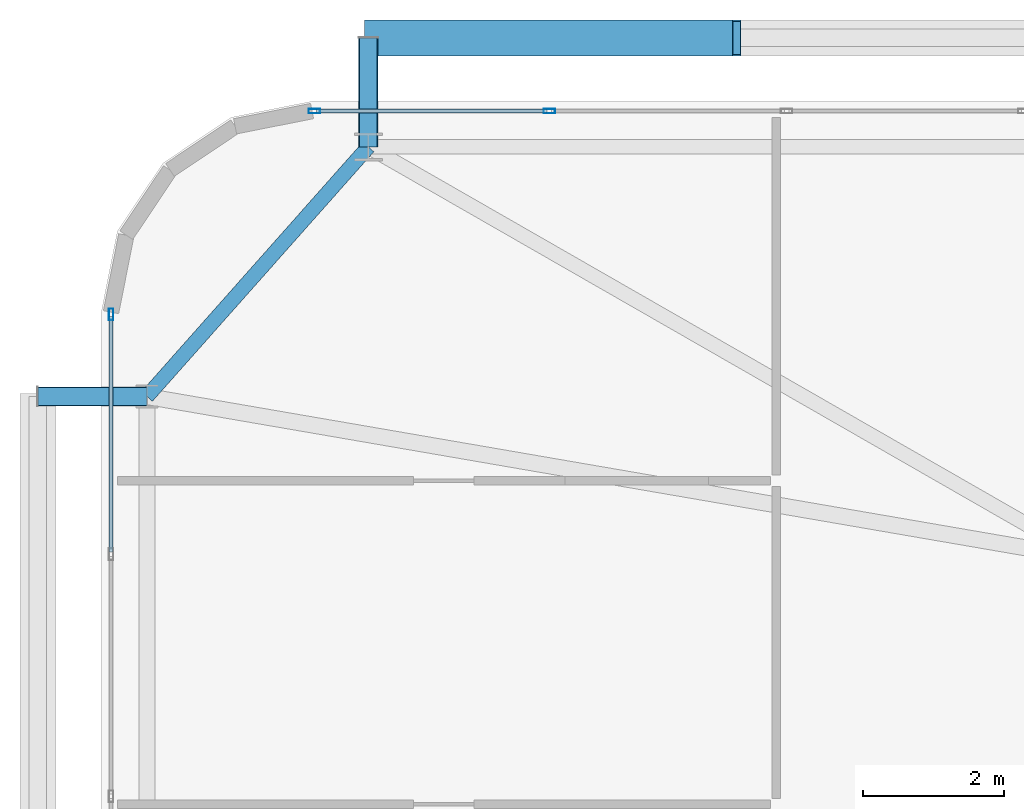
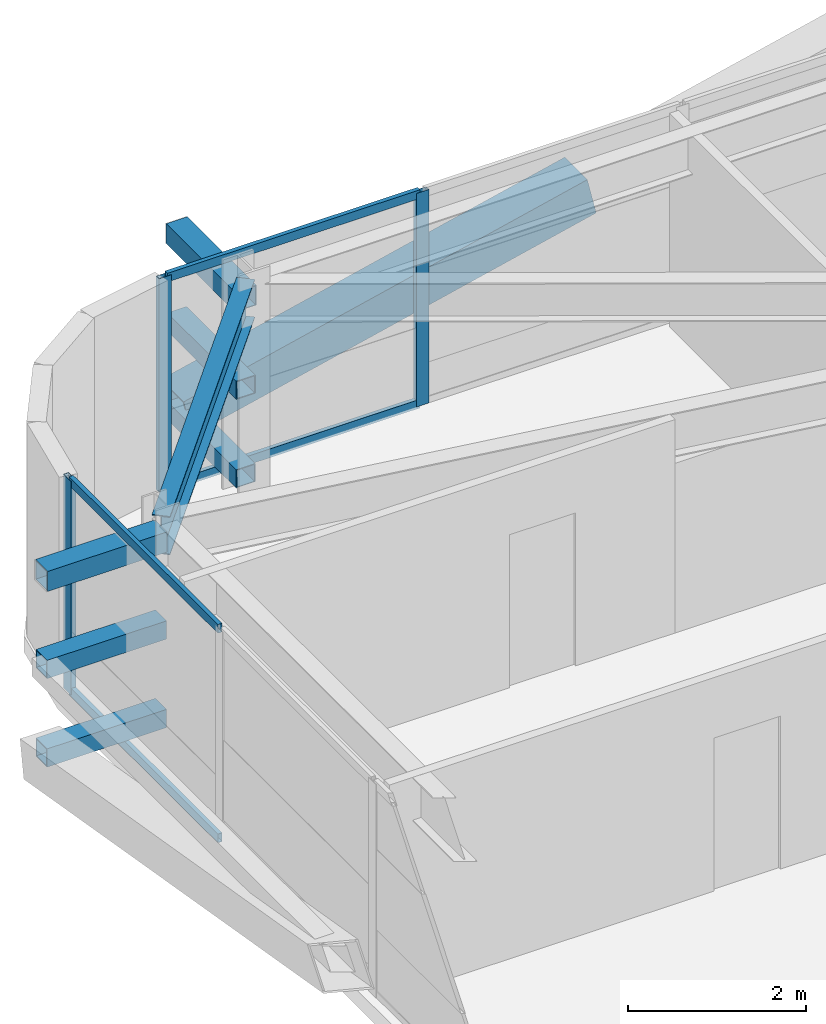
# One storey, part 33 of 59: 14 members, 1 beam, 2 elements without a shape of their own.
"""IFC4 building model written with IfcOpenShell, lengths in metres."""

from ifc_helpers import new_model, si_unit, direction, frame, origin, origin_2d, place, context, subcontext, project, spatial, hollow_rectangle, i_section, extrude, source, transform, mapped, material, layer, layer_set, material_profile, profile_set, type_object, element, aggregate, save


model = new_model("IFC4")

# Units and contexts
model_context = context("Model", 3, precision=1e-05, world=origin(), true_north=direction((0.0, 1.0)))
body_context = subcontext(model_context, "Body", "Model", "MODEL_VIEW")
ifc_project = project(units=[si_unit("LENGTHUNIT", "METRE"), si_unit("AREAUNIT", "SQUARE_METRE"), si_unit("VOLUMEUNIT", "CUBIC_METRE"), si_unit("PLANEANGLEUNIT", "RADIAN"), si_unit("MASSUNIT", "GRAM", prefix="KILO")], contexts=[model_context])

# Site, building, storey
site_placement = place(None, origin())
site = spatial("IfcSite", under=ifc_project, at=site_placement, CompositionType="ELEMENT")
building_placement = place(site_placement, origin())
building = spatial("IfcBuilding", under=site, at=building_placement, Name="Taldren Reach Tower", CompositionType="ELEMENT")
storey_placement = place(building_placement, frame((0.0, 0.0, 23.10009765625)))
storey = spatial("IfcBuildingStorey", under=building, at=storey_placement, Name="L06", CompositionType="ELEMENT", Elevation=23.10009765625)

# Beam
ifc_material_1 = material(Name="Steel Gr 350 (350PLUS)", Category="steel")
ifc_material_profile_1 = material_profile(ifc_material_1, i_section(OverallWidth=0.208984375, OverallDepth=0.528076171875, WebThickness=0.009521484375, FlangeThickness=0.01318359375, at=origin_2d()), Name="530UB82.0")
ifc_profile_set_1 = profile_set([ifc_material_profile_1], Name="Steel Gr 350 (350PLUS)")
beam_type = type_object("IfcBeamType", Name="SP-UB530B", PredefinedType="SPANDREL", material=ifc_profile_set_1)
shared_shape_1 = source(origin(), body_context, "Body", "SweptSolid", [
    extrude(i_section(OverallWidth=0.208984375, OverallDepth=0.528076171875, WebThickness=0.009521484375, FlangeThickness=0.01318359375, at=origin_2d()), origin(), (0.0, 0.0, 1.0), 4.74609375),
])
beam_placement = place(storey_placement, frame((8.800048828125, 37.85009765625, 2.666015625), z_axis=(-0.663721843779, -0.747979487747, 0.0), x_axis=(0.747979487747, -0.663721843779, 0.0)))
element("IfcBeam", 1, at=beam_placement, inside=storey, type_object=beam_type, Name="Perimeter spandrel B1 N1-W3 L06", PredefinedType="SPANDREL", context=body_context, shape_type="MappedRepresentation", body=[
    mapped(shared_shape_1, transform((0.0, 0.0, 0.0), scale=1.0)),
])

# Members
ifc_material_2 = material(Name="Steel Gr 450 (C450L0)", Category="steel")
ifc_material_profile_2 = material_profile(ifc_material_2, hollow_rectangle(XDim=0.27490234375, YDim=0.27490234375, WallThickness=0.00927734375, at=origin_2d()), Name="275x275x9.3SHS")
ifc_profile_set_2 = profile_set([ifc_material_profile_2], Name="Steel Gr 450 (C450L0)")
member_type_1 = type_object("IfcMemberType", Name="MB-TIE273", PredefinedType="STRUT", material=ifc_profile_set_2)
shared_shape_2 = source(origin(), body_context, "Body", "SweptSolid", [
    extrude(hollow_rectangle(XDim=0.27490234375, YDim=0.27490234375, WallThickness=0.00927734375, at=origin_2d()), origin(), (0.0, 0.0, 1.0), 1.5498046875),
])
for number, where, z_axis, x_axis, name in (
    (2, (8.800048828125, 37.85009765625, 2.64990234375), (0.0, 1.0, 0.0), (-1.0, 0.0, 0.0), "Exoskeleton diaphragm tie strut B1-N1 L06"),
    (3, (5.64990234375, 34.300048828125, 2.64990234375), (-1.0, 0.0, 0.0), (0.0, -1.0, 0.0), "Exoskeleton diaphragm tie strut B1-W3 L06"),
):
    element("IfcMember", number, at=place(storey_placement, frame(where, z_axis=z_axis, x_axis=x_axis)), inside=storey, type_object=member_type_1, Name=name, PredefinedType="STRUT", context=body_context, shape_type="MappedRepresentation", body=[
        mapped(shared_shape_2, transform((0.0, 0.0, 0.0), scale=1.0)),
    ])
ifc_material_profile_3 = material_profile(ifc_material_2, hollow_rectangle(XDim=0.510009765625, YDim=0.510009765625, WallThickness=0.02001953125, at=origin_2d()), Name="510x510x20.0SHS")
ifc_profile_set_3 = profile_set([ifc_material_profile_3], Name="Steel Gr 450 (C450L0)")
member_type_2 = type_object("IfcMemberType", Name="MB-EXO508", PredefinedType="BRACE", material=ifc_profile_set_3)
shared_shape_3 = source(origin(), body_context, "Body", "SweptSolid", [
    extrude(hollow_rectangle(XDim=0.510009765625, YDim=0.510009765625, WallThickness=0.02001953125, at=origin_2d()), origin(), (0.0, 0.0, 1.0), 5.37890625),
])
member_1_placement = place(storey_placement, frame((8.800048828125, 39.39990234375, 0.219970703125), z_axis=(0.974161966843, 0.0, 0.225850531007), x_axis=(0.0, 1.0, 0.0)))
element("IfcMember", 4, at=member_1_placement, inside=storey, type_object=member_type_2, Name="Exoskeleton Diagrid Brace B1-N1 L06", PredefinedType="BRACE", context=body_context, shape_type="MappedRepresentation", body=[
    mapped(shared_shape_3, transform((0.0, 0.0, 0.0), scale=1.0)),
])
ifc_material_3 = material(Name="Steel Gr 350 (C350L0)", Category="steel")
ifc_material_profile_4 = material_profile(ifc_material_3, hollow_rectangle(XDim=0.25, YDim=0.25, WallThickness=0.010009765625, at=origin_2d()), Name="250x250x10.0SHS")
ifc_profile_set_4 = profile_set([ifc_material_profile_4], Name="Steel Gr 350 (C350L0)")
member_type_3 = type_object("IfcMemberType", Name="MB-POST250", PredefinedType="POST", material=ifc_profile_set_4)
shared_shape_4 = source(origin(), body_context, "Body", "SweptSolid", [
    extrude(hollow_rectangle(XDim=0.25, YDim=0.25, WallThickness=0.010009765625, at=origin_2d()), origin(), (0.0, 0.0, 1.0), 1.5498046875),
])
for number, where, z_axis, x_axis, name in (
    (5, (8.800048828125, 37.85009765625, 0.219970703125), (0.0, 1.0, 0.0), (-1.0, 0.0, 0.0), "Exoskeleton base diaphragm tie strut B1-N1 L06"),
    (6, (5.64990234375, 34.300048828125, 0.219970703125), (-1.0, 0.0, 0.0), (0.0, -1.0, 0.0), "Exoskeleton base diaphragm tie strut B1-W3 L06"),
    (7, (8.800048828125, 37.85009765625, 1.434814453125), (0.0, 1.0, 0.0), (-1.0, 0.0, 0.0), "Exoskeleton mid-tier diaphragm tie B1-N1 L06"),
    (8, (5.64990234375, 34.300048828125, 1.434814453125), (-1.0, 0.0, 0.0), (0.0, -1.0, 0.0), "Exoskeleton mid-tier diaphragm tie B1-W3 L06"),
):
    element("IfcMember", number, at=place(storey_placement, frame(where, z_axis=z_axis, x_axis=x_axis)), inside=storey, type_object=member_type_3, Name=name, PredefinedType="POST", context=body_context, shape_type="MappedRepresentation", body=[
        mapped(shared_shape_4, transform((0.0, 0.0, 0.0), scale=1.0)),
    ])

# Curtain wall, members
ifc_material_4 = material(Name="Aluminium and Low-E Glass Unitised System", Category="aluminium")
ifc_layer = layer(ifc_material_4, 0.159912109375)
ifc_layer_set = layer_set([ifc_layer], Name="Aluminium and Low-E Glass Unitised System")
curtain_wall_type = type_object("IfcCurtainWallType", Name="CW-SYS-2", PredefinedType="NOTDEFINED", material=ifc_layer_set)
curtain_wall_1_placement = place(storey_placement, origin())
curtain_wall_1 = element("IfcCurtainWall", 9, at=curtain_wall_1_placement, inside=storey, type_object=curtain_wall_type, Name="Unitised curtain wall CW-L06-N", PredefinedType="NOTDEFINED")
ifc_material_5 = material(Name="Anodised Aluminium 6063-T6", Category="aluminium")
ifc_material_profile_5 = material_profile(ifc_material_5, hollow_rectangle(XDim=0.06494140625, YDim=0.1650390625, WallThickness=0.00390625, at=origin_2d()), Name="ALU-165x65x4RHS")
ifc_profile_set_5 = profile_set([ifc_material_profile_5], Name="Anodised Aluminium 6063-T6")
member_type_4 = type_object("IfcMemberType", Name="CW-MUL-165", PredefinedType="MULLION", material=ifc_profile_set_5)
shared_shape_5 = source(origin(), body_context, "Body", "SweptSolid", [
    extrude(hollow_rectangle(XDim=0.06494140625, YDim=0.1650390625, WallThickness=0.00390625, at=origin_2d()), origin(), (0.0, 0.0, 1.0), 2.929931640625),
])
member_2_placement = place(storey_placement, frame((11.375, 38.360107421875, 0.0), z_axis=(0.0, 0.0, 1.0), x_axis=(0.0, -1.0, 0.0)))
member_2 = element("IfcMember", 10, at=member_2_placement, type_object=member_type_4, Name="CW-2 mullion 16", PredefinedType="MULLION", context=body_context, shape_type="MappedRepresentation", body=[
    mapped(shared_shape_5, transform((0.0, 0.0, 0.0), scale=1.0)),
])
member_3_placement = place(storey_placement, frame((8.032470703125, 38.360107421875, 0.0), z_axis=(0.0, 0.0, 1.0), x_axis=(0.0, -1.0, 0.0)))
member_3 = element("IfcMember", 11, at=member_3_placement, type_object=member_type_4, Name="CW-2 mullion 17", PredefinedType="MULLION", context=body_context, shape_type="MappedRepresentation", body=[
    mapped(shared_shape_5, transform((0.0, 0.0, 0.0), scale=1.0)),
])

# Curtain wall, member
curtain_wall_2_placement = place(storey_placement, origin())
curtain_wall_2 = element("IfcCurtainWall", 12, at=curtain_wall_2_placement, inside=storey, type_object=curtain_wall_type, Name="Unitised curtain wall CW-L06-W", PredefinedType="NOTDEFINED")
member_4_placement = place(storey_placement, frame((5.139892578125, 35.467529296875, 0.0), z_axis=(0.0, 0.0, 1.0), x_axis=(1.0, 0.0, 0.0)))
member_4 = element("IfcMember", 13, at=member_4_placement, type_object=member_type_4, Name="CW-2 mullion 1", PredefinedType="MULLION", context=body_context, shape_type="MappedRepresentation", body=[
    mapped(shared_shape_5, transform((0.0, 0.0, 0.0), scale=1.0)),
])

# Member
ifc_material_profile_6 = material_profile(ifc_material_5, hollow_rectangle(XDim=0.054931640625, YDim=0.1201171875, WallThickness=0.0029296875, at=origin_2d()), Name="ALU-120x55x3RHS")
ifc_profile_set_6 = profile_set([ifc_material_profile_6], Name="Anodised Aluminium 6063-T6")
member_type_5 = type_object("IfcMemberType", Name="CW-TRN-135", PredefinedType="USERDEFINED", material=ifc_profile_set_6)
shared_shape_6 = source(origin(), body_context, "Body", "SweptSolid", [
    extrude(hollow_rectangle(XDim=0.054931640625, YDim=0.1201171875, WallThickness=0.0029296875, at=origin_2d()), origin(), (0.0, 0.0, 1.0), 3.277587890625),
])
member_5_placement = place(storey_placement, frame((11.342529296875, 38.360107421875, 0.02734375), z_axis=(-1.0, 0.0, 0.0), x_axis=(0.0, -1.0, 0.0)))
member_5 = element("IfcMember", 14, at=member_5_placement, type_object=member_type_5, Name="CW-2 transom 16.1", ObjectType="TRANSOM", PredefinedType="USERDEFINED", context=body_context, shape_type="MappedRepresentation", body=[
    mapped(shared_shape_6, transform((0.0, 0.0, 0.0), scale=1.0)),
])

member_6_placement = place(storey_placement, frame((11.342529296875, 38.360107421875, 2.90234375), z_axis=(-1.0, 0.0, 0.0), x_axis=(0.0, -1.0, 0.0)))
member_6 = element("IfcMember", 15, at=member_6_placement, type_object=member_type_5, Name="CW-2 transom 16.2", ObjectType="TRANSOM", PredefinedType="USERDEFINED", context=body_context, shape_type="MappedRepresentation", body=[
    mapped(shared_shape_6, transform((0.0, 0.0, 0.0), scale=1.0)),
])

aggregate(curtain_wall_1, [member_2, member_3, member_5, member_6])

shared_shape_7 = source(origin(), body_context, "Body", "SweptSolid", [
    extrude(hollow_rectangle(XDim=0.054931640625, YDim=0.1201171875, WallThickness=0.0029296875, at=origin_2d()), origin(), (0.0, 0.0, 1.0), 3.346923828125),
])
member_7_placement = place(storey_placement, frame((5.139892578125, 35.43505859375, 0.02734375), z_axis=(0.0, -1.0, 0.0), x_axis=(1.0, 0.0, 0.0)))
member_7 = element("IfcMember", 16, at=member_7_placement, type_object=member_type_5, Name="CW-2 transom 1.1", ObjectType="TRANSOM", PredefinedType="USERDEFINED", context=body_context, shape_type="MappedRepresentation", body=[
    mapped(shared_shape_7, transform((0.0, 0.0, 0.0), scale=1.0)),
])

member_8_placement = place(storey_placement, frame((5.139892578125, 35.43505859375, 2.90234375), z_axis=(0.0, -1.0, 0.0), x_axis=(1.0, 0.0, 0.0)))
member_8 = element("IfcMember", 17, at=member_8_placement, type_object=member_type_5, Name="CW-2 transom 1.2", ObjectType="TRANSOM", PredefinedType="USERDEFINED", context=body_context, shape_type="MappedRepresentation", body=[
    mapped(shared_shape_7, transform((0.0, 0.0, 0.0), scale=1.0)),
])

aggregate(curtain_wall_2, [member_4, member_7, member_8])

save(model, "model.ifc")
